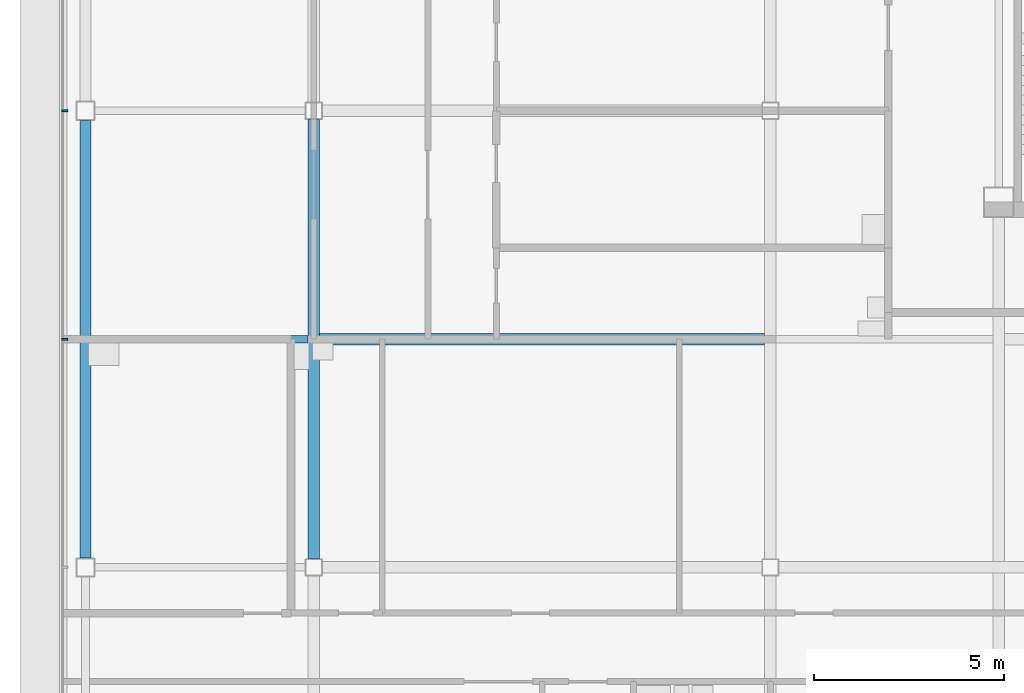
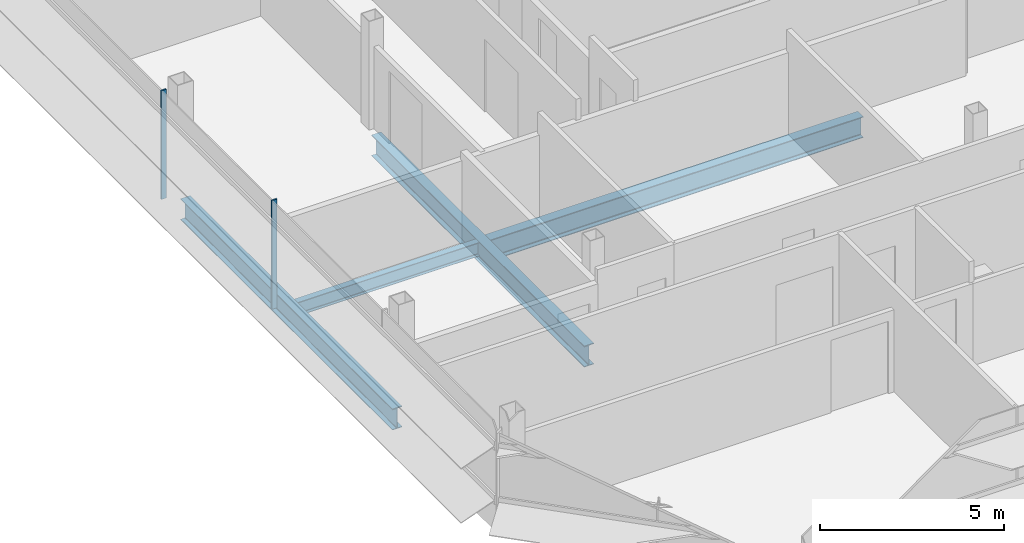
# One storey, part 6 of 28: 4 beams, 2 members, 1 element without a shape of its own.
"""IFC4 building model written with IfcOpenShell, lengths in metres."""

from ifc_helpers import new_model, si_unit, direction, frame, origin, origin_2d, place, context, subcontext, project, spatial, rectangle, i_section, extrude, material, material_profile, profile_set, type_object, element, aggregate, save


model = new_model("IFC4")

# Units and contexts
model_context = context("Model", 3, precision=1e-05, world=origin(), true_north=direction((0.0, 1.0)))
body_context = subcontext(model_context, "Body", "Model", "MODEL_VIEW")
ifc_project = project(units=[si_unit("LENGTHUNIT", "METRE"), si_unit("AREAUNIT", "SQUARE_METRE"), si_unit("VOLUMEUNIT", "CUBIC_METRE"), si_unit("PLANEANGLEUNIT", "RADIAN"), si_unit("MASSUNIT", "GRAM", prefix="KILO")], contexts=[model_context])

# Site, building, storey
site_placement = place(None, origin())
site = spatial("IfcSite", under=ifc_project, at=site_placement, CompositionType="ELEMENT")
building_placement = place(site_placement, origin())
building = spatial("IfcBuilding", under=site, at=building_placement, Name="Sorahane Residences", CompositionType="ELEMENT")
storey_placement = place(building_placement, frame((0.0, 0.0, 308.800048828125)))
storey = spatial("IfcBuildingStorey", under=building, at=storey_placement, Name="L73", CompositionType="ELEMENT", Elevation=308.800048828125)

# Curtain wall, members
ifc_material_1 = material(Name="Dark low-e glass and black anodised aluminium", Category="aluminium")
curtain_wall_type = type_object("IfcCurtainWallType", Name="Curtain wall CW-1 Typical unitised wall", PredefinedType="NOTDEFINED", material=ifc_material_1)
curtain_wall_placement = place(storey_placement, origin())
curtain_wall = element("IfcCurtainWall", 1, at=curtain_wall_placement, inside=storey, type_object=curtain_wall_type, Name="CW-1 curtain wall L73 W1", PredefinedType="NOTDEFINED")
ifc_material_2 = material(Name="Black anodised aluminium", Category="aluminium")
ifc_material_profile_1 = material_profile(ifc_material_2, rectangle(XDim=0.159912109375, YDim=0.050048828125, at=origin_2d()), Name="Curtain wall mullion CW-1 black anodised aluminium 50x160")
ifc_profile_set_1 = profile_set([ifc_material_profile_1], Name="Black anodised aluminium")
member_type = type_object("IfcMemberType", Name="Curtain wall mullion CW-1 black anodised aluminium 50x160", PredefinedType="MULLION", material=ifc_profile_set_1)
member_1_placement = place(storey_placement, frame((-18.5400390625, 24.0, -0.179931640625), z_axis=(0.0, 0.0, 1.0), x_axis=(-1.0, 0.0, 0.0)))
member_1 = element("IfcMember", 2, at=member_1_placement, type_object=member_type, Name="CW-1 mullion L73 W1.4", PredefinedType="MULLION", context=body_context, shape_type="SweptSolid", body=[
    extrude(rectangle(XDim=0.159912109375, YDim=0.050048828125, at=origin_2d()), origin(), (0.0, 0.0, 1.0), 3.599853515625),
])
member_2_placement = place(storey_placement, frame((-18.5400390625, 18.0, -0.179931640625), z_axis=(0.0, 0.0, 1.0), x_axis=(-1.0, 0.0, 0.0)))
member_2 = element("IfcMember", 3, at=member_2_placement, type_object=member_type, Name="CW-1 mullion L73 W1.5", PredefinedType="MULLION", context=body_context, shape_type="SweptSolid", body=[
    extrude(rectangle(XDim=0.159912109375, YDim=0.050048828125, at=origin_2d()), origin(), (0.0, 0.0, 1.0), 3.599853515625),
])
aggregate(curtain_wall, [member_1, member_2])

# Beams
ifc_material_3 = material(Name="Steel Q355B", Category="steel")
ifc_material_profile_2 = material_profile(ifc_material_3, i_section(OverallWidth=0.199951171875, OverallDepth=0.449951171875, WebThickness=0.009033203125, FlangeThickness=0.013916015625, FilletRadius=0.02001953125, at=origin_2d()), Name="HN 450x200x9x14")
ifc_profile_set_2 = profile_set([ifc_material_profile_2], Name="Steel Q355B")
beam_type_1 = type_object("IfcBeamType", Name="Steel floor beam HN 450x200x9x14 Q355B", PredefinedType="BEAM", material=ifc_profile_set_2)
beam_1_placement = place(storey_placement, frame((-17.85009765625, 18.0, -0.405029296875), z_axis=(1.0, 0.0, 0.0), x_axis=(0.0, 1.0, 0.0)))
element("IfcBeam", 4, at=beam_1_placement, inside=storey, type_object=beam_type_1, Name="Beam L73 076", PredefinedType="BEAM", context=body_context, shape_type="SweptSolid", body=[
    extrude(i_section(OverallWidth=0.199951171875, OverallDepth=0.449951171875, WebThickness=0.009033203125, FlangeThickness=0.013916015625, FilletRadius=0.02001953125, at=origin_2d()), origin(), (0.0, 0.0, 1.0), 5.7001953125),
])
ifc_material_4 = material(Name="Steel Q355B", Category="steel")
ifc_material_profile_3 = material_profile(ifc_material_4, i_section(OverallWidth=0.300048828125, OverallDepth=0.699951171875, WebThickness=0.012939453125, FlangeThickness=0.02392578125, FilletRadius=0.028076171875, at=origin_2d()), Name="HN 700x300x13x24")
ifc_profile_set_3 = profile_set([ifc_material_profile_3], Name="Steel Q355B")
beam_type_2 = type_object("IfcBeamType", Name="Steel floor beam HN 700x300x13x24 Q355B", PredefinedType="BEAM", material=ifc_profile_set_3)
beam_2_placement = place(storey_placement, frame((-18.0, 12.25, -0.530029296875), z_axis=(0.0, 1.0, 0.0), x_axis=(-1.0, 0.0, 0.0)))
element("IfcBeam", 5, at=beam_2_placement, inside=storey, type_object=beam_type_2, Name="Beam L73 021", PredefinedType="BEAM", context=body_context, shape_type="SweptSolid", body=[
    extrude(i_section(OverallWidth=0.300048828125, OverallDepth=0.699951171875, WebThickness=0.012939453125, FlangeThickness=0.02392578125, FilletRadius=0.028076171875, at=origin_2d()), origin(), (0.0, 0.0, 1.0), 11.5),
])
beam_3_placement = place(storey_placement, frame((-12.0, 12.22509765625, -0.530029296875), z_axis=(0.0, 1.0, 0.0), x_axis=(-1.0, 0.0, 0.0)))
element("IfcBeam", 6, at=beam_3_placement, inside=storey, type_object=beam_type_2, Name="Beam L73 025", PredefinedType="BEAM", context=body_context, shape_type="SweptSolid", body=[
    extrude(i_section(OverallWidth=0.300048828125, OverallDepth=0.699951171875, WebThickness=0.012939453125, FlangeThickness=0.02392578125, FilletRadius=0.028076171875, at=origin_2d()), origin(), (0.0, 0.0, 1.0), 11.5498046875),
])
beam_4_placement = place(storey_placement, frame((-11.85009765625, 18.0, -0.530029296875), z_axis=(1.0, 0.0, 0.0), x_axis=(0.0, 1.0, 0.0)))
element("IfcBeam", 7, at=beam_4_placement, inside=storey, type_object=beam_type_2, Name="Beam L73 077", PredefinedType="BEAM", context=body_context, shape_type="SweptSolid", body=[
    extrude(i_section(OverallWidth=0.300048828125, OverallDepth=0.699951171875, WebThickness=0.012939453125, FlangeThickness=0.02392578125, FilletRadius=0.028076171875, at=origin_2d()), origin(), (0.0, 0.0, 1.0), 11.7001953125),
])

save(model, "model.ifc")
